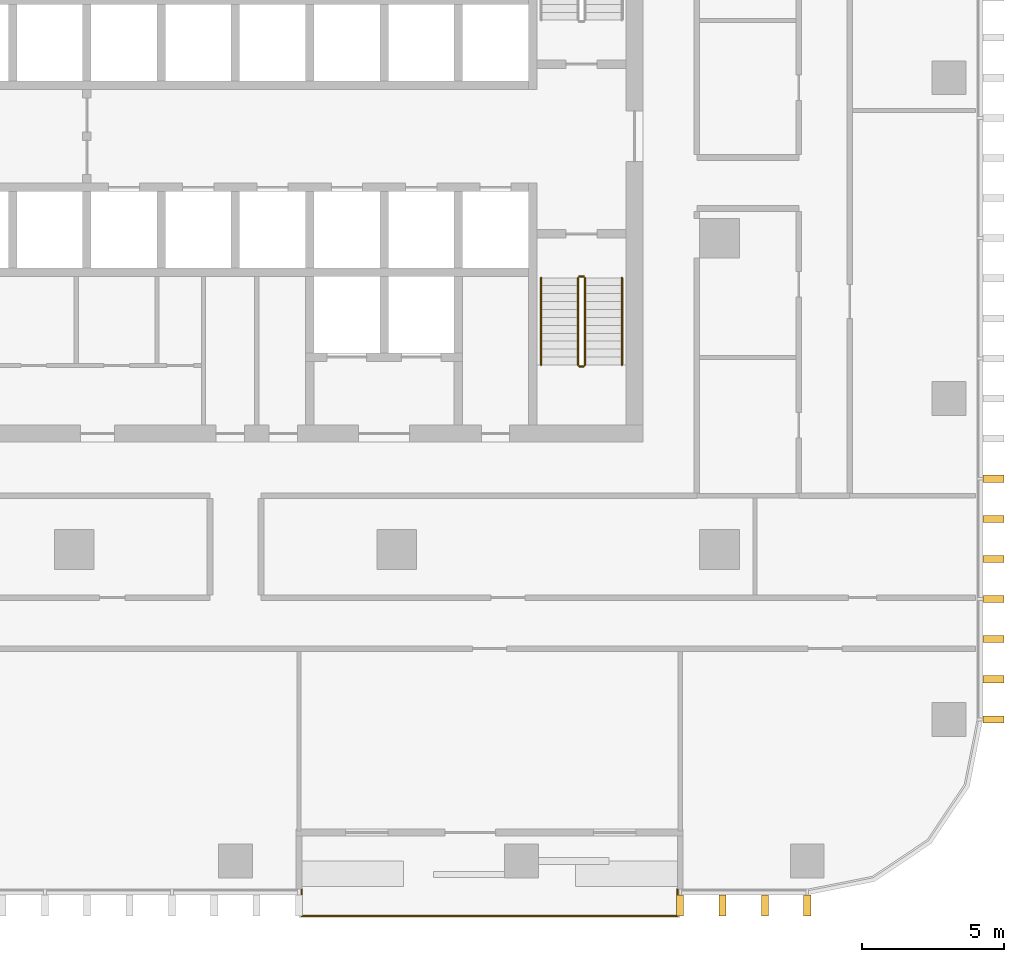
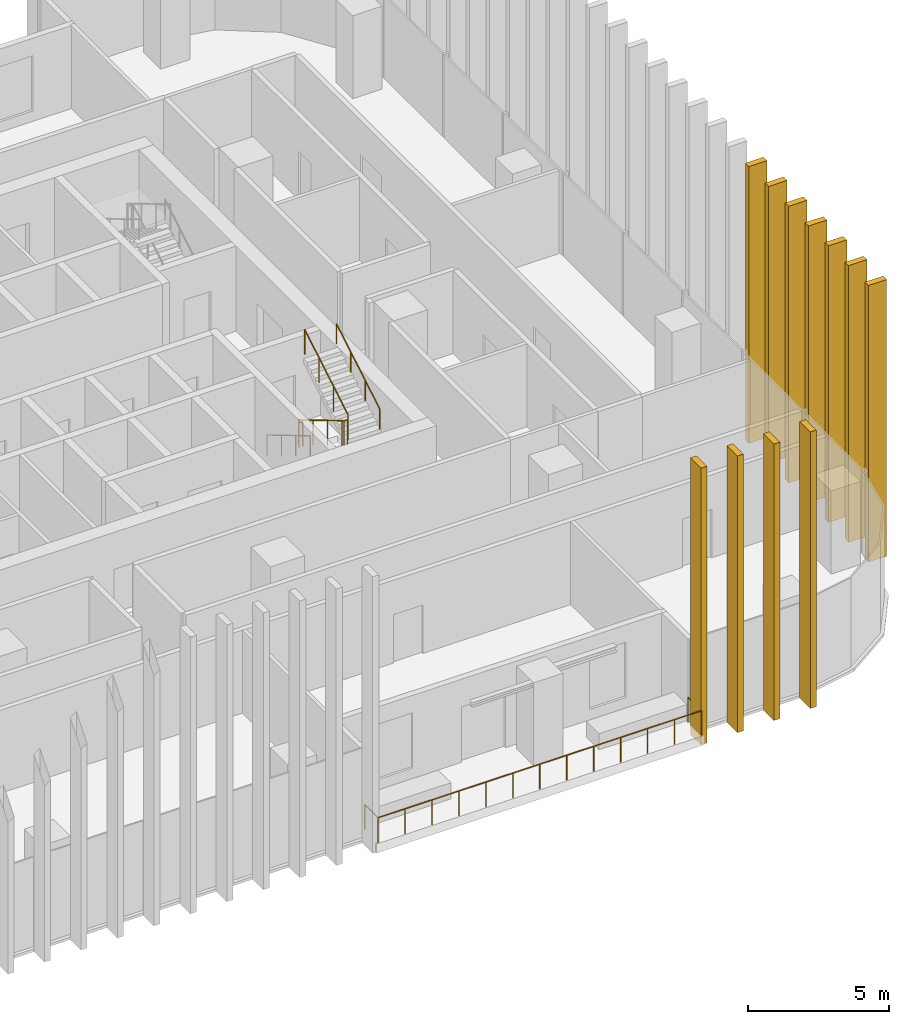
# One storey, part 14 of 16: 11 shading devices, 6 railings.
"""IFC4 building model written with IfcOpenShell, lengths in metres."""

from ifc_helpers import new_model, si_unit, direction, frame, origin, origin_2d, place, context, subcontext, project, spatial, rectangle, circle, extrude, material, type_object, element, save


model = new_model("IFC4")

# Units and contexts
model_context = context("Model", 3, precision=1e-05, world=origin(), true_north=direction((0.0, 1.0)))
body_context = subcontext(model_context, "Body", "Model", "MODEL_VIEW")
ifc_project = project(units=[si_unit("LENGTHUNIT", "METRE"), si_unit("AREAUNIT", "SQUARE_METRE"), si_unit("VOLUMEUNIT", "CUBIC_METRE"), si_unit("PLANEANGLEUNIT", "RADIAN"), si_unit("MASSUNIT", "GRAM", prefix="KILO")], contexts=[model_context])

# Site, building, storey
site_placement = place(None, origin())
site = spatial("IfcSite", under=ifc_project, at=site_placement, CompositionType="ELEMENT")
building_placement = place(site_placement, origin())
building = spatial("IfcBuilding", under=site, at=building_placement, Name="Mopane Tessera Tower", CompositionType="ELEMENT")
storey_placement = place(building_placement, frame((0.0, 0.0, 181.0)))
storey = spatial("IfcBuildingStorey", under=building, at=storey_placement, Name="L37", CompositionType="ELEMENT", Elevation=181.0)

# Shading devices
ifc_material_1 = material(Name="Glazed ceramic tile")
shading_device_type = type_object("IfcShadingDeviceType", Name="Ceramic tile fin 750 x 250 mm", PredefinedType="USERDEFINED", material=ifc_material_1)
for number, where, z_axis, x_axis, name in (
    (1, (15.711181640625, -23.574951171875, -0.39990234375), (0.0, 0.0, 1.0), (1.0, 0.0, 0.0), "e:fin:L37:S:8:0"),
    (2, (17.20751953125, -23.574951171875, -0.39990234375), (0.0, 0.0, 1.0), (1.0, 0.0, 0.0), "e:fin:L37:S:8:1"),
    (3, (18.70361328125, -23.574951171875, -0.39990234375), (0.0, 0.0, 1.0), (1.0, 0.0, 0.0), "e:fin:L37:S:8:2"),
    (4, (20.199951171875, -23.574951171875, -0.39990234375), (0.0, 0.0, 1.0), (1.0, 0.0, 0.0), "e:fin:L37:S:8:3"),
    (5, (26.77490234375, -17.0, -0.39990234375), (0.0, 0.0, 1.0), (0.0, 1.0, 0.0), "e:fin:L37:E:0:0"),
    (6, (26.77490234375, -15.583251953125, -0.39990234375), (0.0, 0.0, 1.0), (0.0, 1.0, 0.0), "e:fin:L37:E:0:1"),
    (7, (26.77490234375, -14.166748046875, -0.39990234375), (0.0, 0.0, 1.0), (0.0, 1.0, 0.0), "e:fin:L37:E:0:2"),
    (8, (26.77490234375, -12.75, -0.39990234375), (0.0, 0.0, 1.0), (0.0, 1.0, 0.0), "e:fin:L37:E:1:0"),
    (9, (26.77490234375, -11.333251953125, -0.39990234375), (0.0, 0.0, 1.0), (0.0, 1.0, 0.0), "e:fin:L37:E:1:1"),
    (10, (26.77490234375, -9.916748046875, -0.39990234375), (0.0, 0.0, 1.0), (0.0, 1.0, 0.0), "e:fin:L37:E:1:2"),
    (11, (26.77490234375, -8.5, -0.39990234375), (0.0, 0.0, 1.0), (0.0, 1.0, 0.0), "e:fin:L37:E:2:0"),
):
    element("IfcShadingDevice", number, at=place(storey_placement, frame(where, z_axis=z_axis, x_axis=x_axis)), inside=storey, type_object=shading_device_type, Name=name, ObjectType="FIN", PredefinedType="USERDEFINED", context=body_context, shape_type="SweptSolid", body=[
        extrude(rectangle(XDim=0.25, YDim=0.75, at=origin_2d()), origin(), (0.0, 0.0, 1.0), 12.0),
    ])

# Railings
ifc_material_2 = material(Name="Powder-coated steel balustrade", Category="steel")
railing_type_1 = type_object("IfcRailingType", Name="Escape stair guard 1100 mm", PredefinedType="GUARDRAIL", material=ifc_material_2)
railing_1_placement = place(storey_placement, frame((12.10009765625, -1.39990234375, 0.166748046875)))
element("IfcRailing", 12, at=railing_1_placement, inside=storey, type_object=railing_type_1, Name="L37 ST3 stair guard 1", PredefinedType="GUARDRAIL", context=body_context, shape_type="SweptSolid", body=[
    extrude(circle(Radius=0.02392578125, at=origin_2d()), frame((0.0, 0.0, 1.076171875), z_axis=(0.0, -0.859308565015, 0.511457515432), x_axis=(1.0, 0.0, 0.0)), (0.0, 0.0, 1.0), 3.58447265625),
    extrude(circle(Radius=0.02392578125, at=origin_2d()), frame((0.0, -3.080078125, 2.9091796875), z_axis=(0.705375805398, -0.708833529934, 0.0), x_axis=(0.708833529934, 0.705375805398, 0.0)), (0.0, 0.0, 1.0), 0.070556640625),
    extrude(circle(Radius=0.02392578125, at=origin_2d()), frame((0.0498046875, -3.130126953125, 2.9091796875), z_axis=(1.0, 0.0, 0.0), x_axis=(0.0, 1.0, 0.0)), (0.0, 0.0, 1.0), 0.150146484375),
    extrude(circle(Radius=0.02099609375, at=origin_2d()), origin(), (0.0, 0.0, 1.0), 1.052001953125),
    extrude(circle(Radius=0.02099609375, at=origin_2d()), frame((0.0, -1.026611328125, 0.611083984375)), (0.0, 0.0, 1.0), 1.052001953125),
    extrude(circle(Radius=0.02099609375, at=origin_2d()), frame((0.0, -2.053466796875, 1.22216796875)), (0.0, 0.0, 1.0), 1.052001953125),
    extrude(circle(Radius=0.02099609375, at=origin_2d()), frame((0.0, -3.080078125, 1.833251953125)), (0.0, 0.0, 1.0), 1.052001953125),
    extrude(circle(Radius=0.02099609375, at=origin_2d()), frame((0.0498046875, -3.130126953125, 1.833251953125)), (0.0, 0.0, 1.0), 1.052001953125),
    extrude(circle(Radius=0.02099609375, at=origin_2d()), frame((0.199951171875, -3.130126953125, 1.833251953125)), (0.0, 0.0, 1.0), 1.052001953125),
])
railing_2_placement = place(storey_placement, frame((12.35009765625, -4.47998046875, 2.166748046875)))
element("IfcRailing", 13, at=railing_2_placement, inside=storey, type_object=railing_type_1, Name="L37 ST3 stair guard 2", PredefinedType="GUARDRAIL", context=body_context, shape_type="SweptSolid", body=[
    extrude(circle(Radius=0.02392578125, at=origin_2d()), frame((0.0, 0.0, 1.076171875), z_axis=(0.0, 0.859308565015, 0.511457515432), x_axis=(-1.0, 0.0, 0.0)), (0.0, 0.0, 1.0), 3.58447265625),
    extrude(circle(Radius=0.02099609375, at=origin_2d()), origin(), (0.0, 0.0, 1.0), 1.052001953125),
    extrude(circle(Radius=0.02099609375, at=origin_2d()), frame((0.0, 1.026611328125, 0.611083984375)), (0.0, 0.0, 1.0), 1.052001953125),
    extrude(circle(Radius=0.02099609375, at=origin_2d()), frame((0.0, 2.053466796875, 1.22216796875)), (0.0, 0.0, 1.0), 1.052001953125),
    extrude(circle(Radius=0.02099609375, at=origin_2d()), frame((0.0, 3.080078125, 1.833251953125)), (0.0, 0.0, 1.0), 1.052001953125),
])
railing_3_placement = place(storey_placement, frame((12.14990234375, -1.35009765625, 0.0)))
element("IfcRailing", 14, at=railing_3_placement, inside=storey, type_object=railing_type_1, Name="L37 ST3 stair guard 3", PredefinedType="GUARDRAIL", context=body_context, shape_type="SweptSolid", body=[
    extrude(circle(Radius=0.02392578125, at=origin_2d()), frame((0.0, 0.0, 1.076171875), z_axis=(1.0, 0.0, 0.0), x_axis=(0.0, 1.0, 0.0)), (0.0, 0.0, 1.0), 0.150146484375),
    extrude(circle(Radius=0.02099609375, at=origin_2d()), origin(), (0.0, 0.0, 1.0), 1.052001953125),
    extrude(circle(Radius=0.02099609375, at=origin_2d()), frame((0.150146484375, 0.0, 0.0)), (0.0, 0.0, 1.0), 1.052001953125),
])
ifc_material_3 = material(Name="Powder-coated steel balustrade", Category="steel")
railing_type_2 = type_object("IfcRailingType", Name="Escape stair handrail 900 mm", PredefinedType="HANDRAIL", material=ifc_material_3)
railing_4_placement = place(storey_placement, frame((10.800048828125, -1.39990234375, 0.166748046875)))
element("IfcRailing", 15, at=railing_4_placement, inside=storey, type_object=railing_type_2, Name="L37 ST3 stair handrail 1", PredefinedType="HANDRAIL", context=body_context, shape_type="SweptSolid", body=[
    extrude(circle(Radius=0.02392578125, at=origin_2d()), frame((0.0, 0.0, 0.8759765625), z_axis=(0.0, -0.859308565015, 0.511457515432), x_axis=(1.0, 0.0, 0.0)), (0.0, 0.0, 1.0), 3.58447265625),
    extrude(circle(Radius=0.02099609375, at=origin_2d()), origin(), (0.0, 0.0, 1.0), 0.851806640625),
    extrude(circle(Radius=0.02099609375, at=origin_2d()), frame((0.0, -1.026611328125, 0.611083984375)), (0.0, 0.0, 1.0), 0.851806640625),
    extrude(circle(Radius=0.02099609375, at=origin_2d()), frame((0.0, -2.053466796875, 1.22216796875)), (0.0, 0.0, 1.0), 0.851806640625),
    extrude(circle(Radius=0.02099609375, at=origin_2d()), frame((0.0, -3.080078125, 1.833251953125)), (0.0, 0.0, 1.0), 0.851806640625),
])
railing_5_placement = place(storey_placement, frame((13.64990234375, -4.47998046875, 2.166748046875)))
element("IfcRailing", 16, at=railing_5_placement, inside=storey, type_object=railing_type_2, Name="L37 ST3 stair handrail 2", PredefinedType="HANDRAIL", context=body_context, shape_type="SweptSolid", body=[
    extrude(circle(Radius=0.02392578125, at=origin_2d()), frame((0.0, 0.0, 0.8759765625), z_axis=(0.0, 0.859308565015, 0.511457515432), x_axis=(-1.0, 0.0, 0.0)), (0.0, 0.0, 1.0), 3.58447265625),
    extrude(circle(Radius=0.02099609375, at=origin_2d()), origin(), (0.0, 0.0, 1.0), 0.851806640625),
    extrude(circle(Radius=0.02099609375, at=origin_2d()), frame((0.0, 1.026611328125, 0.611083984375)), (0.0, 0.0, 1.0), 0.851806640625),
    extrude(circle(Radius=0.02099609375, at=origin_2d()), frame((0.0, 2.053466796875, 1.22216796875)), (0.0, 0.0, 1.0), 0.851806640625),
    extrude(circle(Radius=0.02099609375, at=origin_2d()), frame((0.0, 3.080078125, 1.833251953125)), (0.0, 0.0, 1.0), 0.851806640625),
])
ifc_material_4 = material(Name="Stainless steel S316", Category="steel")
railing_type_3 = type_object("IfcRailingType", Name="Terrace guard 1100", PredefinedType="GUARDRAIL", material=ifc_material_4)
railing_6_placement = place(storey_placement, frame((2.344482421875, -23.0, 0.0)))
element("IfcRailing", 17, at=railing_6_placement, inside=storey, type_object=railing_type_3, Name="e:nw:L37:N2:guard", PredefinedType="GUARDRAIL", context=body_context, shape_type="SweptSolid", body=[
    extrude(circle(Radius=0.02392578125, at=origin_2d()), frame((0.0, 0.0, 1.076171875), z_axis=(0.0, -1.0, 0.0), x_axis=(1.0, 0.0, 0.0)), (0.0, 0.0, 1.0), 0.949951171875),
    extrude(circle(Radius=0.02392578125, at=origin_2d()), frame((0.0, -0.949951171875, 1.076171875), z_axis=(1.0, 0.0, 0.0), x_axis=(0.0, 1.0, 0.0)), (0.0, 0.0, 1.0), 13.2666015625),
    extrude(circle(Radius=0.02392578125, at=origin_2d()), frame((13.2666015625, -0.949951171875, 1.076171875), z_axis=(0.0, 1.0, 0.0), x_axis=(-1.0, 0.0, 0.0)), (0.0, 0.0, 1.0), 0.949951171875),
    extrude(circle(Radius=0.02099609375, at=origin_2d()), origin(), (0.0, 0.0, 1.0), 1.052001953125),
    extrude(circle(Radius=0.02099609375, at=origin_2d()), frame((0.0, -0.949951171875, 0.0)), (0.0, 0.0, 1.0), 1.052001953125),
    extrude(circle(Radius=0.02099609375, at=origin_2d()), frame((1.10546875, -0.949951171875, 0.0)), (0.0, 0.0, 1.0), 1.052001953125),
    extrude(circle(Radius=0.02099609375, at=origin_2d()), frame((2.211181640625, -0.949951171875, 0.0)), (0.0, 0.0, 1.0), 1.052001953125),
    extrude(circle(Radius=0.02099609375, at=origin_2d()), frame((3.316650390625, -0.949951171875, 0.0)), (0.0, 0.0, 1.0), 1.052001953125),
    extrude(circle(Radius=0.02099609375, at=origin_2d()), frame((4.422119140625, -0.949951171875, 0.0)), (0.0, 0.0, 1.0), 1.052001953125),
    extrude(circle(Radius=0.02099609375, at=origin_2d()), frame((5.52783203125, -0.949951171875, 0.0)), (0.0, 0.0, 1.0), 1.052001953125),
    extrude(circle(Radius=0.02099609375, at=origin_2d()), frame((6.63330078125, -0.949951171875, 0.0)), (0.0, 0.0, 1.0), 1.052001953125),
    extrude(circle(Radius=0.02099609375, at=origin_2d()), frame((7.73876953125, -0.949951171875, 0.0)), (0.0, 0.0, 1.0), 1.052001953125),
    extrude(circle(Radius=0.02099609375, at=origin_2d()), frame((8.844482421875, -0.949951171875, 0.0)), (0.0, 0.0, 1.0), 1.052001953125),
    extrude(circle(Radius=0.02099609375, at=origin_2d()), frame((9.949951171875, -0.949951171875, 0.0)), (0.0, 0.0, 1.0), 1.052001953125),
    extrude(circle(Radius=0.02099609375, at=origin_2d()), frame((11.055419921875, -0.949951171875, 0.0)), (0.0, 0.0, 1.0), 1.052001953125),
    extrude(circle(Radius=0.02099609375, at=origin_2d()), frame((12.1611328125, -0.949951171875, 0.0)), (0.0, 0.0, 1.0), 1.052001953125),
    extrude(circle(Radius=0.02099609375, at=origin_2d()), frame((13.2666015625, -0.949951171875, 0.0)), (0.0, 0.0, 1.0), 1.052001953125),
    extrude(circle(Radius=0.02099609375, at=origin_2d()), frame((13.2666015625, 0.0, 0.0)), (0.0, 0.0, 1.0), 1.052001953125),
])

save(model, "model.ifc")
